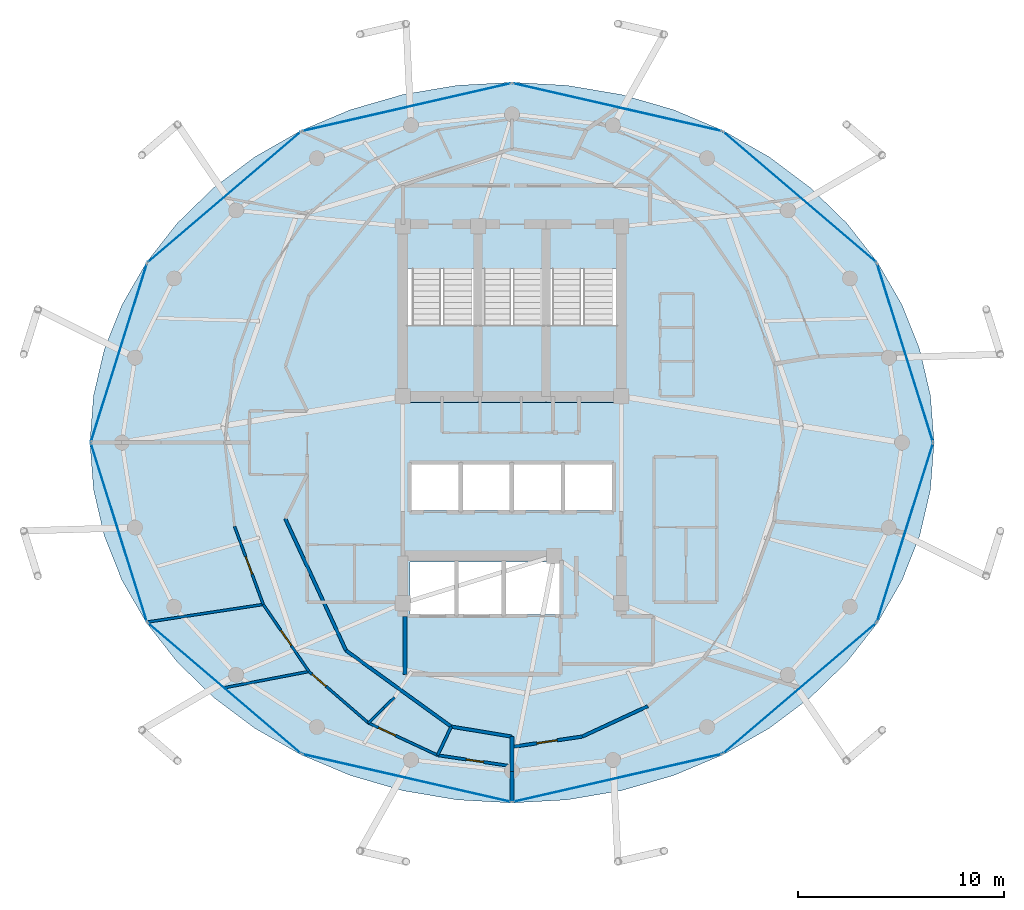
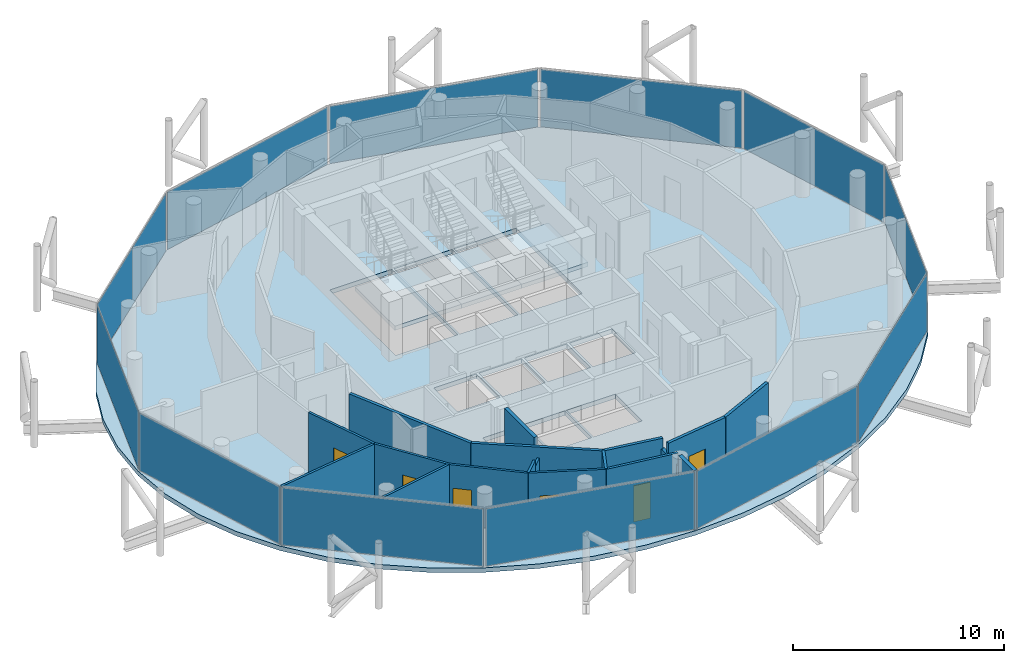
# One storey, part 19 of 24: 18 walls, 12 plates, 6 doors, 4 slabs, 6 openings, 15 elements without a shape of their own.
"""IFC4 building model written with IfcOpenShell, lengths in metres."""

from ifc_helpers import new_model, si_unit, direction, frame, frame_2d, origin, origin_2d, place, context, subcontext, project, spatial, polyline, rectangle, outline, extrude, material, layer, layer_set, type_object, element, fill, aggregate, save


model = new_model("IFC4")

# Units and contexts
model_context = context("Model", 3, precision=1e-05, world=origin(), true_north=direction((0.0, 1.0)))
body_context = subcontext(model_context, "Body", "Model", "MODEL_VIEW")
ifc_project = project(units=[si_unit("LENGTHUNIT", "METRE"), si_unit("AREAUNIT", "SQUARE_METRE"), si_unit("VOLUMEUNIT", "CUBIC_METRE"), si_unit("PLANEANGLEUNIT", "RADIAN"), si_unit("MASSUNIT", "GRAM", prefix="KILO")], contexts=[model_context])

# Site, building, storey
site_placement = place(None, origin())
site = spatial("IfcSite", under=ifc_project, at=site_placement, CompositionType="ELEMENT")
building_placement = place(site_placement, origin())
building = spatial("IfcBuilding", under=site, at=building_placement, Name="Nuhasar Tower", CompositionType="ELEMENT")
storey_placement = place(building_placement, frame((0.0, 0.0, 297.39990234375)))
storey = spatial("IfcBuildingStorey", under=building, at=storey_placement, Name="L74", CompositionType="ELEMENT", Elevation=297.39990234375)

# Curtain wall, plate
ifc_material_1 = material(Name="Aluminium 6063-T6", Category="aluminium")
ifc_layer_1 = layer(ifc_material_1, 0.18994140625)
ifc_layer_set_1 = layer_set([ifc_layer_1], Name="Aluminium 6063-T6")
curtain_wall_type = type_object("IfcCurtainWallType", Name="CW-Z4-PEN", PredefinedType="NOTDEFINED", material=ifc_layer_set_1)
curtain_wall_1_placement = place(storey_placement, origin())
curtain_wall_1 = element("IfcCurtainWall", 1, at=curtain_wall_1_placement, inside=storey, type_object=curtain_wall_type, Name="L74 Unitised Curtain Wall 01", PredefinedType="NOTDEFINED")
ifc_material_2 = material(Name="Glass Double Low-E", Category="glass")
ifc_layer_2 = layer(ifc_material_2, 0.028076171875)
ifc_layer_set_2 = layer_set([ifc_layer_2], Name="Glass Double Low-E")
plate_type = type_object("IfcPlateType", Name="CW-PANEL-GLZ", PredefinedType="CURTAIN_PANEL", material=ifc_layer_set_2)
plate_1_placement = place(storey_placement, frame((58.089599609375, 31.1650390625, 0.06005859375), z_axis=(0.0, 0.0, 1.0), x_axis=(-0.299556614146, 0.954078526601, 0.0)))
plate_1 = element("IfcPlate", 2, at=plate_1_placement, type_object=plate_type, Name="CW-Z4 panel 1.1", PredefinedType="CURTAIN_PANEL", context=body_context, shape_type="SweptSolid", body=[
    extrude(rectangle(XDim=9.0302734375, YDim=0.028076171875, at=origin_2d()), origin(), (0.0, 0.0, 1.0), 3.330078125),
])
aggregate(curtain_wall_1, [plate_1])

curtain_wall_2_placement = place(storey_placement, origin())
curtain_wall_2 = element("IfcCurtainWall", 3, at=curtain_wall_2_placement, inside=storey, type_object=curtain_wall_type, Name="L74 Unitised Curtain Wall 02", PredefinedType="NOTDEFINED")
plate_2_placement = place(storey_placement, frame((52.974609375, 38.7255859375, 0.06005859375), z_axis=(0.0, 0.0, 1.0), x_axis=(-0.760667252327, 0.649141996205, 0.0)))
plate_2 = element("IfcPlate", 4, at=plate_2_placement, type_object=plate_type, Name="CW-Z4 panel 1.1", PredefinedType="CURTAIN_PANEL", context=body_context, shape_type="SweptSolid", body=[
    extrude(rectangle(XDim=9.725341796875, YDim=0.028076171875, at=origin_2d()), origin(), (0.0, 0.0, 1.0), 3.330078125),
])
aggregate(curtain_wall_2, [plate_2])

curtain_wall_3_placement = place(storey_placement, origin())
curtain_wall_3 = element("IfcCurtainWall", 5, at=curtain_wall_3_placement, inside=storey, type_object=curtain_wall_type, Name="L74 Unitised Curtain Wall 03", PredefinedType="NOTDEFINED")
plate_3_placement = place(storey_placement, frame((44.114990234375, 43.090576171875, 0.06005859375), z_axis=(0.0, 0.0, 1.0), x_axis=(-0.97484371891, 0.222889487645, 0.0)))
plate_3 = element("IfcPlate", 6, at=plate_3_placement, type_object=plate_type, Name="CW-Z4 panel 1.1", PredefinedType="CURTAIN_PANEL", context=body_context, shape_type="SweptSolid", body=[
    extrude(rectangle(XDim=10.3740234375, YDim=0.028076171875, at=origin_2d()), origin(), (0.0, 0.0, 1.0), 3.330078125),
])
aggregate(curtain_wall_3, [plate_3])

curtain_wall_4_placement = place(storey_placement, origin())
curtain_wall_4 = element("IfcCurtainWall", 7, at=curtain_wall_4_placement, inside=storey, type_object=curtain_wall_type, Name="L74 Unitised Curtain Wall 04", PredefinedType="NOTDEFINED")
plate_4_placement = place(storey_placement, frame((33.885009765625, 43.090576171875, 0.06005859375), z_axis=(0.0, 0.0, 1.0), x_axis=(-0.97484371891, -0.222889487645, 0.0)))
plate_4 = element("IfcPlate", 8, at=plate_4_placement, type_object=plate_type, Name="CW-Z4 panel 1.1", PredefinedType="CURTAIN_PANEL", context=body_context, shape_type="SweptSolid", body=[
    extrude(rectangle(XDim=10.3740234375, YDim=0.028076171875, at=origin_2d()), origin(), (0.0, 0.0, 1.0), 3.330078125),
])
aggregate(curtain_wall_4, [plate_4])

curtain_wall_5_placement = place(storey_placement, origin())
curtain_wall_5 = element("IfcCurtainWall", 9, at=curtain_wall_5_placement, inside=storey, type_object=curtain_wall_type, Name="L74 Unitised Curtain Wall 05", PredefinedType="NOTDEFINED")
plate_5_placement = place(storey_placement, frame((25.025390625, 38.7255859375, 0.06005859375), z_axis=(0.0, 0.0, 1.0), x_axis=(-0.760667252327, -0.649141996205, 0.0)))
plate_5 = element("IfcPlate", 10, at=plate_5_placement, type_object=plate_type, Name="CW-Z4 panel 1.1", PredefinedType="CURTAIN_PANEL", context=body_context, shape_type="SweptSolid", body=[
    extrude(rectangle(XDim=9.725341796875, YDim=0.028076171875, at=origin_2d()), origin(), (0.0, 0.0, 1.0), 3.330078125),
])
aggregate(curtain_wall_5, [plate_5])

curtain_wall_6_placement = place(storey_placement, origin())
curtain_wall_6 = element("IfcCurtainWall", 11, at=curtain_wall_6_placement, inside=storey, type_object=curtain_wall_type, Name="L74 Unitised Curtain Wall 06", PredefinedType="NOTDEFINED")
plate_6_placement = place(storey_placement, frame((19.910400390625, 31.1650390625, 0.06005859375), z_axis=(0.0, 0.0, 1.0), x_axis=(-0.299556614146, -0.954078526601, 0.0)))
plate_6 = element("IfcPlate", 12, at=plate_6_placement, type_object=plate_type, Name="CW-Z4 panel 1.1", PredefinedType="CURTAIN_PANEL", context=body_context, shape_type="SweptSolid", body=[
    extrude(rectangle(XDim=9.0302734375, YDim=0.028076171875, at=origin_2d()), origin(), (0.0, 0.0, 1.0), 3.330078125),
])
aggregate(curtain_wall_6, [plate_6])

curtain_wall_7_placement = place(storey_placement, origin())
curtain_wall_7 = element("IfcCurtainWall", 13, at=curtain_wall_7_placement, inside=storey, type_object=curtain_wall_type, Name="L74 Unitised Curtain Wall 07", PredefinedType="NOTDEFINED")
plate_7_placement = place(storey_placement, frame((19.910400390625, 22.43505859375, 0.06005859375), z_axis=(0.0, 0.0, 1.0), x_axis=(0.299556614146, -0.954078526601, 0.0)))
plate_7 = element("IfcPlate", 14, at=plate_7_placement, type_object=plate_type, Name="CW-Z4 panel 1.1", PredefinedType="CURTAIN_PANEL", context=body_context, shape_type="SweptSolid", body=[
    extrude(rectangle(XDim=9.0302734375, YDim=0.028076171875, at=origin_2d()), origin(), (0.0, 0.0, 1.0), 3.330078125),
])
aggregate(curtain_wall_7, [plate_7])

curtain_wall_8_placement = place(storey_placement, origin())
curtain_wall_8 = element("IfcCurtainWall", 15, at=curtain_wall_8_placement, inside=storey, type_object=curtain_wall_type, Name="L74 Unitised Curtain Wall 08", PredefinedType="NOTDEFINED")
plate_8_placement = place(storey_placement, frame((25.025390625, 14.87451171875, 0.06005859375), z_axis=(0.0, 0.0, 1.0), x_axis=(0.760667252327, -0.649141996205, 0.0)))
plate_8 = element("IfcPlate", 16, at=plate_8_placement, type_object=plate_type, Name="CW-Z4 panel 1.1", PredefinedType="CURTAIN_PANEL", context=body_context, shape_type="SweptSolid", body=[
    extrude(rectangle(XDim=9.725341796875, YDim=0.028076171875, at=origin_2d()), origin(), (0.0, 0.0, 1.0), 3.330078125),
])
aggregate(curtain_wall_8, [plate_8])

curtain_wall_9_placement = place(storey_placement, origin())
curtain_wall_9 = element("IfcCurtainWall", 17, at=curtain_wall_9_placement, inside=storey, type_object=curtain_wall_type, Name="L74 Unitised Curtain Wall 09", PredefinedType="NOTDEFINED")
plate_9_placement = place(storey_placement, frame((33.885009765625, 10.509521484375, 0.06005859375), z_axis=(0.0, 0.0, 1.0), x_axis=(0.97484371891, -0.222889487645, 0.0)))
plate_9 = element("IfcPlate", 18, at=plate_9_placement, type_object=plate_type, Name="CW-Z4 panel 1.1", PredefinedType="CURTAIN_PANEL", context=body_context, shape_type="SweptSolid", body=[
    extrude(rectangle(XDim=10.3740234375, YDim=0.028076171875, at=origin_2d()), origin(), (0.0, 0.0, 1.0), 3.330078125),
])
aggregate(curtain_wall_9, [plate_9])

curtain_wall_10_placement = place(storey_placement, origin())
curtain_wall_10 = element("IfcCurtainWall", 19, at=curtain_wall_10_placement, inside=storey, type_object=curtain_wall_type, Name="L74 Unitised Curtain Wall 10", PredefinedType="NOTDEFINED")
plate_10_placement = place(storey_placement, frame((44.114990234375, 10.509521484375, 0.06005859375), z_axis=(0.0, 0.0, 1.0), x_axis=(0.97484371891, 0.222889487645, 0.0)))
plate_10 = element("IfcPlate", 20, at=plate_10_placement, type_object=plate_type, Name="CW-Z4 panel 1.1", PredefinedType="CURTAIN_PANEL", context=body_context, shape_type="SweptSolid", body=[
    extrude(rectangle(XDim=10.3740234375, YDim=0.028076171875, at=origin_2d()), origin(), (0.0, 0.0, 1.0), 3.330078125),
])
aggregate(curtain_wall_10, [plate_10])

curtain_wall_11_placement = place(storey_placement, origin())
curtain_wall_11 = element("IfcCurtainWall", 21, at=curtain_wall_11_placement, inside=storey, type_object=curtain_wall_type, Name="L74 Unitised Curtain Wall 11", PredefinedType="NOTDEFINED")
plate_11_placement = place(storey_placement, frame((52.974609375, 14.87451171875, 0.06005859375), z_axis=(0.0, 0.0, 1.0), x_axis=(0.760667252327, 0.649141996205, 0.0)))
plate_11 = element("IfcPlate", 22, at=plate_11_placement, type_object=plate_type, Name="CW-Z4 panel 1.1", PredefinedType="CURTAIN_PANEL", context=body_context, shape_type="SweptSolid", body=[
    extrude(rectangle(XDim=9.725341796875, YDim=0.028076171875, at=origin_2d()), origin(), (0.0, 0.0, 1.0), 3.330078125),
])
aggregate(curtain_wall_11, [plate_11])

curtain_wall_12_placement = place(storey_placement, origin())
curtain_wall_12 = element("IfcCurtainWall", 23, at=curtain_wall_12_placement, inside=storey, type_object=curtain_wall_type, Name="L74 Unitised Curtain Wall 12", PredefinedType="NOTDEFINED")
plate_12_placement = place(storey_placement, frame((58.089599609375, 22.43505859375, 0.06005859375), z_axis=(0.0, 0.0, 1.0), x_axis=(0.299556614146, 0.954078526601, 0.0)))
plate_12 = element("IfcPlate", 24, at=plate_12_placement, type_object=plate_type, Name="CW-Z4 panel 1.1", PredefinedType="CURTAIN_PANEL", context=body_context, shape_type="SweptSolid", body=[
    extrude(rectangle(XDim=9.0302734375, YDim=0.028076171875, at=origin_2d()), origin(), (0.0, 0.0, 1.0), 3.330078125),
])
aggregate(curtain_wall_12, [plate_12])

# Stair, slab
ifc_material_3 = material(Name="Concrete C45/55", Category="concrete")
stair_type_1 = type_object("IfcStairType", Name="STR-ST-01-2F-22R-1727", PredefinedType="HALF_TURN_STAIR", material=ifc_material_3)
stair_1_placement = place(storey_placement, origin())
stair_1 = element("IfcStair", 25, at=stair_1_placement, inside=storey, type_object=stair_type_1, Name="L74 Exit Stair ST-01", PredefinedType="HALF_TURN_STAIR")
ifc_layer_3 = layer(ifc_material_3, 0.239990234375)
ifc_layer_set_3 = layer_set([ifc_layer_3], Name="Concrete C45/55")
slab_type_1 = type_object("IfcSlabType", Name="SLB-STAIR-LND-240", PredefinedType="LANDING", material=ifc_layer_set_3)
slab_1_placement = place(storey_placement, frame((0.0, 0.0, 1.66015625)))
slab_1 = element("IfcSlab", 26, at=slab_1_placement, type_object=slab_type_1, Name="ST-01 landing 1", PredefinedType="LANDING", context=body_context, shape_type="SweptSolid", body=[
    extrude(outline(polyline([(33.699951171875, 28.75), (37.35009765625, 28.75), (37.35009765625, 32.52001953125), (33.699951171875, 32.52001953125), (33.699951171875, 28.75)])), origin(), (0.0, 0.0, 1.0), 0.239990234375),
])
aggregate(stair_1, [slab_1])

stair_type_2 = type_object("IfcStairType", Name="STR-ST-03-2F-22R-1727", PredefinedType="HALF_TURN_STAIR", material=ifc_material_3)
stair_2_placement = place(storey_placement, origin())
stair_2 = element("IfcStair", 27, at=stair_2_placement, inside=storey, type_object=stair_type_2, Name="L74 Exit Stair ST-03", PredefinedType="HALF_TURN_STAIR")
slab_2_placement = place(storey_placement, frame((0.0, 0.0, 1.66015625)))
slab_2 = element("IfcSlab", 28, at=slab_2_placement, type_object=slab_type_1, Name="ST-03 landing 1", PredefinedType="LANDING", context=body_context, shape_type="SweptSolid", body=[
    extrude(outline(polyline([(37.35009765625, 28.75), (40.64990234375, 28.75), (40.64990234375, 32.52001953125), (37.35009765625, 32.52001953125), (37.35009765625, 28.75)])), origin(), (0.0, 0.0, 1.0), 0.239990234375),
])
aggregate(stair_2, [slab_2])

stair_type_3 = type_object("IfcStairType", Name="STR-ST-02-2F-22R-1727", PredefinedType="HALF_TURN_STAIR", material=ifc_material_3)
stair_3_placement = place(storey_placement, origin())
stair_3 = element("IfcStair", 29, at=stair_3_placement, inside=storey, type_object=stair_type_3, Name="L74 Exit Stair ST-02", PredefinedType="HALF_TURN_STAIR")
slab_3_placement = place(storey_placement, frame((0.0, 0.0, 1.66015625)))
slab_3 = element("IfcSlab", 30, at=slab_3_placement, type_object=slab_type_1, Name="ST-02 landing 1", PredefinedType="LANDING", context=body_context, shape_type="SweptSolid", body=[
    extrude(outline(polyline([(40.64990234375, 28.75), (44.300048828125, 28.75), (44.300048828125, 32.52001953125), (40.64990234375, 32.52001953125), (40.64990234375, 28.75)])), origin(), (0.0, 0.0, 1.0), 0.239990234375),
])
aggregate(stair_3, [slab_3])

# Slab
ifc_material_4 = material(Name="Concrete C50/60", Category="concrete")
ifc_layer_4 = layer(ifc_material_4, 0.260009765625)
ifc_layer_set_4 = layer_set([ifc_layer_4], Name="Concrete C50/60")
slab_type_2 = type_object("IfcSlabType", Name="SLB-Z1A-260", PredefinedType="FLOOR", material=ifc_layer_set_4)
slab_4_placement = place(storey_placement, frame((0.0, 0.0, -0.260009765625)))
element("IfcSlab", 31, at=slab_4_placement, inside=storey, type_object=slab_type_2, Name="L74 Structural Slab", PredefinedType="FLOOR", context=body_context, shape_type="SweptSolid", body=[
    extrude(outline(polyline([(59.5, 26.800048828125), (59.324951171875, 29.083984375), (58.801025390625, 31.3291015625), (57.93994140625, 33.4970703125), (56.75390625, 35.550048828125), (55.263916015625, 37.452880859375), (53.49609375, 39.174072265625), (51.47998046875, 40.68408203125), (49.25, 41.955078125), (46.844970703125, 42.968017578125), (44.305908203125, 43.7041015625), (41.676025390625, 44.14990234375), (39.0, 44.300048828125), (36.323974609375, 44.14990234375), (33.694091796875, 43.7041015625), (31.155029296875, 42.968017578125), (28.75, 41.955078125), (26.52001953125, 40.68408203125), (24.50390625, 39.174072265625), (22.736083984375, 37.452880859375), (21.24609375, 35.550048828125), (20.06005859375, 33.4970703125), (19.198974609375, 31.3291015625), (18.675048828125, 29.083984375), (18.5, 26.800048828125), (18.675048828125, 24.51611328125), (19.198974609375, 22.27099609375), (20.06005859375, 20.10302734375), (21.24609375, 18.050048828125), (22.736083984375, 16.14697265625), (24.50390625, 14.426025390625), (26.52001953125, 12.916015625), (28.75, 11.64501953125), (31.155029296875, 10.632080078125), (33.694091796875, 9.89599609375), (36.323974609375, 9.449951171875), (39.0, 9.300048828125), (41.676025390625, 9.449951171875), (44.305908203125, 9.89599609375), (46.844970703125, 10.632080078125), (49.25, 11.64501953125), (51.47998046875, 12.916015625), (53.49609375, 14.426025390625), (55.263916015625, 16.14697265625), (56.75390625, 18.050048828125), (57.93994140625, 20.10302734375), (58.801025390625, 22.27099609375), (59.324951171875, 24.51611328125), (59.5, 26.800048828125)]), holes=[polyline([(33.8798828125, 35.25), (37.300048828125, 35.25), (37.300048828125, 29.0), (33.8798828125, 29.0), (33.8798828125, 35.25)]), polyline([(37.39990234375, 35.25), (40.60009765625, 35.25), (40.60009765625, 29.0), (37.39990234375, 29.0), (37.39990234375, 35.25)]), polyline([(40.699951171875, 35.25), (44.1201171875, 35.25), (44.1201171875, 29.0), (40.699951171875, 29.0), (40.699951171875, 35.25)]), polyline([(34.10009765625, 25.75), (36.43994140625, 25.75), (36.43994140625, 23.5), (34.10009765625, 23.5), (34.10009765625, 25.75)]), polyline([(36.580078125, 25.75), (38.919921875, 25.75), (38.919921875, 23.5), (36.580078125, 23.5), (36.580078125, 25.75)]), polyline([(39.06005859375, 25.75), (41.39990234375, 25.75), (41.39990234375, 23.5), (39.06005859375, 23.5), (39.06005859375, 25.75)]), polyline([(41.5400390625, 25.75), (43.8798828125, 25.75), (43.8798828125, 23.5), (41.5400390625, 23.5), (41.5400390625, 25.75)]), polyline([(34.050048828125, 21.0), (36.25, 21.0), (36.25, 18.449951171875), (34.050048828125, 18.449951171875), (34.050048828125, 21.0)]), polyline([(36.35009765625, 21.0), (38.550048828125, 21.0), (38.550048828125, 18.449951171875), (36.35009765625, 18.449951171875), (36.35009765625, 21.0)]), polyline([(38.64990234375, 21.0), (41.320068359375, 21.0), (41.320068359375, 18.449951171875), (38.64990234375, 18.449951171875), (38.64990234375, 21.0)])]), origin(), (0.0, 0.0, 1.0), 0.260009765625),
])

# Wall, opening, door
ifc_material_5 = material(Name="Gypsum Board", Category="gypsum")
ifc_layer_5 = layer(ifc_material_5, 0.159912109375)
ifc_layer_set_5 = layer_set([ifc_layer_5], Name="Gypsum Board")
wall_type_1 = type_object("IfcWallType", Name="WL-CORR-160", PredefinedType="PARTITIONING", material=ifc_layer_set_5)
wall_1_placement = place(storey_placement, frame((42.4140625, 12.52392578125, 0.0), z_axis=(0.0, 0.0, 1.0), x_axis=(-0.989282323844, -0.146015354435, 0.0)))
wall_1 = element("IfcWall", 32, at=wall_1_placement, inside=storey, type_object=wall_type_1, Name="L74 Interior Partition CORR-36", PredefinedType="PARTITIONING", context=body_context, shape_type="SweptSolid", body=[
    extrude(rectangle(XDim=3.450927734375, YDim=0.159912109375, at=frame_2d((1.7255859375, 0.0))), origin(), (0.0, 0.0, 1.0), 3.4501953125),
])
opening_1_placement = place(wall_1_placement, frame((1.22607421875, 0.0, 0.0)))
opening_1 = element("IfcOpeningElement", 33, at=opening_1_placement, cuts=wall_1, Name="Opening DU-02", PredefinedType="OPENING", context=body_context, shape_type="SweptSolid", body=[
    extrude(rectangle(XDim=1.0, YDim=2.14990234375, at=frame_2d((0.5, 1.074951171875))), frame((0.0, 0.08984375, 0.0), z_axis=(0.0, -1.0, 0.0), x_axis=(1.0, 0.0, 0.0)), (0.0, 0.0, 1.0), 0.179931640625),
])
ifc_material_6 = material(Name="Timber Oak", Category="wood")
door_type_1 = type_object("IfcDoorType", Name="DR-FLAT-FD60-1000", OperationType="NOTDEFINED", PredefinedType="DOOR", material=ifc_material_6)
door_1_placement = place(opening_1_placement, origin())
door_1 = element("IfcDoor", 34, at=door_1_placement, inside=storey, type_object=door_type_1, Name="L74 Private Spa Therapy Clinic Entrance Door", OperationType="SINGLE_SWING_RIGHT", OverallHeight=2.14990234375, OverallWidth=1.0, PredefinedType="DOOR", context=body_context, shape_type="SweptSolid", body=[
    extrude(rectangle(XDim=1.0, YDim=2.14990234375, at=frame_2d((0.5, 1.074951171875))), frame((0.0, 0.02490234375, 0.0), z_axis=(0.0, -1.0, 0.0), x_axis=(1.0, 0.0, 0.0)), (0.0, 0.0, 1.0), 0.050048828125),
])
fill(opening_1, door_1)

# Walls
wall_2_placement = place(storey_placement, frame((42.4140625, 12.52392578125, 0.0), z_axis=(0.0, 0.0, 1.0), x_axis=(0.907093473746, 0.420929245703, 0.0)))
element("IfcWall", 35, at=wall_2_placement, inside=storey, type_object=wall_type_1, Name="L74 Interior Partition CORR-38", PredefinedType="PARTITIONING", context=body_context, shape_type="SweptSolid", body=[
    extrude(rectangle(XDim=3.506591796875, YDim=0.159912109375, at=frame_2d((1.75341796875, 0.0))), origin(), (0.0, 0.0, 1.0), 3.4501953125),
])
wall_3_placement = place(storey_placement, frame((27.988037109375, 23.10400390625, 0.0), z_axis=(0.0, 0.0, 1.0), x_axis=(0.418656179426, -0.908144814128, 0.0)))
element("IfcWall", 36, at=wall_3_placement, inside=storey, type_object=wall_type_1, Name="L74 Interior Partition UWEST-CORE-S1-26", PredefinedType="PARTITIONING", context=body_context, shape_type="SweptSolid", body=[
    extrude(rectangle(XDim=7.048583984375, YDim=0.159912109375, at=frame_2d((3.5244140625, 0.0))), origin(), (0.0, 0.0, 1.0), 3.4501953125),
])
wall_4_placement = place(storey_placement, frame((30.93896484375, 16.702880859375, 0.0), z_axis=(0.0, 0.0, 1.0), x_axis=(0.810290119061, -0.586028943784, 0.0)))
element("IfcWall", 37, at=wall_4_placement, inside=storey, type_object=wall_type_1, Name="L74 Interior Partition UWEST-CORE-S1-30", PredefinedType="PARTITIONING", context=body_context, shape_type="SweptSolid", body=[
    extrude(rectangle(XDim=6.306396484375, YDim=0.159912109375, at=frame_2d((3.1533203125, 0.0))), origin(), (0.0, 0.0, 1.0), 3.4501953125),
])
wall_5_placement = place(storey_placement, frame((36.049072265625, 13.007080078125, 0.0), z_axis=(0.0, 0.0, 1.0), x_axis=(0.986650832406, -0.162850038111, 0.0)))
element("IfcWall", 38, at=wall_5_placement, inside=storey, type_object=wall_type_1, Name="L74 Interior Partition UWEST-CORE-S2-34", PredefinedType="PARTITIONING", context=body_context, shape_type="SweptSolid", body=[
    extrude(rectangle(XDim=2.990966796875, YDim=0.159912109375, at=frame_2d((1.49560546875, 0.0))), origin(), (0.0, 0.0, 1.0), 3.4501953125),
])
ifc_layer_6 = layer(ifc_material_3, 0.199951171875)
ifc_layer_set_6 = layer_set([ifc_layer_6], Name="Concrete C45/55")
wall_type_2 = type_object("IfcWallType", Name="WL-LOBBY-200", PredefinedType="SOLIDWALL", material=ifc_layer_set_6)
wall_6_placement = place(storey_placement, frame((33.800048828125, 15.550048828125, 0.0), z_axis=(0.0, 0.0, 1.0), x_axis=(0.0, 1.0, 0.0)))
element("IfcWall", 39, at=wall_6_placement, inside=storey, type_object=wall_type_2, Name="L74 Interior Partition FFL-W", PredefinedType="SOLIDWALL", context=body_context, shape_type="SweptSolid", body=[
    extrude(rectangle(XDim=2.800048828125, YDim=0.199951171875, at=frame_2d((1.39990234375, 0.0))), origin(), (0.0, 0.0, 1.0), 3.4501953125),
])

# Wall, opening, door
ifc_layer_7 = layer(ifc_material_5, 0.125)
ifc_layer_set_7 = layer_set([ifc_layer_7], Name="Gypsum Board")
wall_type_3 = type_object("IfcWallType", Name="WL-PART-125", PredefinedType="PARTITIONING", material=ifc_layer_set_7)
wall_7_placement = place(storey_placement, frame((35.388916015625, 11.615966796875, 0.0), z_axis=(0.0, 0.0, 1.0), x_axis=(-0.906162977721, 0.422928667517, 0.0)))
wall_7 = element("IfcWall", 40, at=wall_7_placement, inside=storey, type_object=wall_type_3, Name="L74 Interior Partition USM-2-K-32", PredefinedType="PARTITIONING", context=body_context, shape_type="SweptSolid", body=[
    extrude(rectangle(XDim=3.71240234375, YDim=0.125, at=frame_2d((1.856201171875, 0.0))), origin(), (0.0, 0.0, 1.0), 3.4501953125),
])
opening_2_placement = place(wall_7_placement, frame((2.260009765625, 0.0, 0.0)))
opening_2 = element("IfcOpeningElement", 41, at=opening_2_placement, cuts=wall_7, Name="Opening DR-01", PredefinedType="OPENING", context=body_context, shape_type="SweptSolid", body=[
    extrude(rectangle(XDim=0.89990234375, YDim=2.10009765625, at=frame_2d((0.449951171875, 1.050048828125))), frame((0.0, 0.072509765625, 0.0), z_axis=(0.0, -1.0, 0.0), x_axis=(1.0, 0.0, 0.0)), (0.0, 0.0, 1.0), 0.14501953125),
])
door_type_2 = type_object("IfcDoorType", Name="DR-ROOM-900", OperationType="NOTDEFINED", PredefinedType="DOOR", material=ifc_material_6)
door_2_placement = place(opening_2_placement, origin())
door_2 = element("IfcDoor", 42, at=door_2_placement, inside=storey, type_object=door_type_2, Name="L74 South-West Sky Home Kitchen Door", OperationType="SINGLE_SWING_RIGHT", OverallHeight=2.10009765625, OverallWidth=0.89990234375, PredefinedType="DOOR", context=body_context, shape_type="SweptSolid", body=[
    extrude(rectangle(XDim=0.89990234375, YDim=2.10009765625, at=frame_2d((0.449951171875, 1.050048828125))), frame((0.0, 0.02490234375, 0.0), z_axis=(0.0, -1.0, 0.0), x_axis=(1.0, 0.0, 0.0)), (0.0, 0.0, 1.0), 0.050048828125),
])
fill(opening_2, door_2)

# Walls
wall_8_placement = place(storey_placement, frame((33.300048828125, 14.43310546875, 0.0), z_axis=(0.0, 0.0, 1.0), x_axis=(-0.714672361604, -0.699459373774, 0.0)))
element("IfcWall", 43, at=wall_8_placement, inside=storey, type_object=wall_type_3, Name="L74 Interior Partition USI-2-DK", PredefinedType="PARTITIONING", context=body_context, shape_type="SweptSolid", body=[
    extrude(rectangle(XDim=0.72216796875, YDim=0.125, at=frame_2d((0.361083984375, 0.0))), origin(), (0.0, 0.0, 1.0), 3.09521484375),
])
wall_9_placement = place(storey_placement, frame((32.783935546875, 13.927978515625, 0.0), z_axis=(0.0, 0.0, 1.0), x_axis=(-0.715111418379, -0.699010485833, 0.0)))
element("IfcWall", 44, at=wall_9_placement, inside=storey, type_object=wall_type_3, Name="L74 Interior Partition USI-2-DK", PredefinedType="PARTITIONING", context=body_context, shape_type="SweptSolid", body=[
    extrude(rectangle(XDim=1.0615234375, YDim=0.125, at=frame_2d((0.53076171875, 0.0))), origin(), (0.0, 0.0, 1.0), 3.4501953125),
])

# Wall, opening, door
wall_10_placement = place(storey_placement, frame((26.9189453125, 18.93994140625, 0.0), z_axis=(0.0, 0.0, 1.0), x_axis=(-0.345128286029, 0.938555521097, 0.0)))
wall_10 = element("IfcWall", 45, at=wall_10_placement, inside=storey, type_object=wall_type_3, Name="L74 Interior Partition USM-2-D-26", PredefinedType="PARTITIONING", context=body_context, shape_type="SweptSolid", body=[
    extrude(rectangle(XDim=4.039306640625, YDim=0.125, at=frame_2d((2.01953125, 0.0))), origin(), (0.0, 0.0, 1.0), 3.4501953125),
])
opening_3_placement = place(wall_10_placement, frame((1.570068359375, 0.0, 0.0)))
opening_3 = element("IfcOpeningElement", 46, at=opening_3_placement, cuts=wall_10, Name="Opening DR-01", PredefinedType="OPENING", context=body_context, shape_type="SweptSolid", body=[
    extrude(rectangle(XDim=0.89990234375, YDim=2.10009765625, at=frame_2d((0.449951171875, 1.050048828125))), frame((0.0, 0.072509765625, 0.0), z_axis=(0.0, -1.0, 0.0), x_axis=(1.0, 0.0, 0.0)), (0.0, 0.0, 1.0), 0.14501953125),
])
door_3_placement = place(opening_3_placement, origin())
door_3 = element("IfcDoor", 47, at=door_3_placement, inside=storey, type_object=door_type_2, Name="L74 South-West Sky Home Living Door", OperationType="SINGLE_SWING_RIGHT", OverallHeight=2.10009765625, OverallWidth=0.89990234375, PredefinedType="DOOR", context=body_context, shape_type="SweptSolid", body=[
    extrude(rectangle(XDim=0.89990234375, YDim=2.10009765625, at=frame_2d((0.449951171875, 1.050048828125))), frame((0.0, 0.02490234375, 0.0), z_axis=(0.0, -1.0, 0.0), x_axis=(1.0, 0.0, 0.0)), (0.0, 0.0, 1.0), 0.050048828125),
])
fill(opening_3, door_3)

wall_11_placement = place(storey_placement, frame((29.135986328125, 15.68408203125, 0.0), z_axis=(0.0, 0.0, 1.0), x_axis=(-0.562840533245, 0.826565505049, 0.0)))
wall_11 = element("IfcWall", 48, at=wall_11_placement, inside=storey, type_object=wall_type_3, Name="L74 Interior Partition USM-2-D-28", PredefinedType="PARTITIONING", context=body_context, shape_type="SweptSolid", body=[
    extrude(rectangle(XDim=3.93896484375, YDim=0.125, at=frame_2d((1.969482421875, 0.0))), origin(), (0.0, 0.0, 1.0), 3.4501953125),
])
opening_4_placement = place(wall_11_placement, frame((1.52001953125, 0.0, 0.0)))
opening_4 = element("IfcOpeningElement", 49, at=opening_4_placement, cuts=wall_11, Name="Opening DR-01", PredefinedType="OPENING", context=body_context, shape_type="SweptSolid", body=[
    extrude(rectangle(XDim=0.89990234375, YDim=2.10009765625, at=frame_2d((0.449951171875, 1.050048828125))), frame((0.0, 0.072509765625, 0.0), z_axis=(0.0, -1.0, 0.0), x_axis=(1.0, 0.0, 0.0)), (0.0, 0.0, 1.0), 0.14501953125),
])
door_4_placement = place(opening_4_placement, origin())
door_4 = element("IfcDoor", 50, at=door_4_placement, inside=storey, type_object=door_type_2, Name="L74 South-West Sky Home Study Door", OperationType="SINGLE_SWING_LEFT", OverallHeight=2.10009765625, OverallWidth=0.89990234375, PredefinedType="DOOR", context=body_context, shape_type="SweptSolid", body=[
    extrude(rectangle(XDim=0.89990234375, YDim=2.10009765625, at=frame_2d((0.449951171875, 1.050048828125))), frame((0.0, 0.02490234375, 0.0), z_axis=(0.0, -1.0, 0.0), x_axis=(1.0, 0.0, 0.0)), (0.0, 0.0, 1.0), 0.050048828125),
])
fill(opening_4, door_4)

wall_12_placement = place(storey_placement, frame((32.02490234375, 13.18603515625, 0.0), z_axis=(0.0, 0.0, 1.0), x_axis=(-0.756424716633, 0.654080765706, 0.0)))
wall_12 = element("IfcWall", 51, at=wall_12_placement, inside=storey, type_object=wall_type_3, Name="L74 Interior Partition USM-2-D-30", PredefinedType="PARTITIONING", context=body_context, shape_type="SweptSolid", body=[
    extrude(rectangle(XDim=3.819091796875, YDim=0.125, at=frame_2d((1.90966796875, 0.0))), origin(), (0.0, 0.0, 1.0), 3.4501953125),
])
opening_5_placement = place(wall_12_placement, frame((2.718994140625, 0.0, 0.0)))
opening_5 = element("IfcOpeningElement", 52, at=opening_5_placement, cuts=wall_12, Name="Opening DR-01", PredefinedType="OPENING", context=body_context, shape_type="SweptSolid", body=[
    extrude(rectangle(XDim=0.89990234375, YDim=2.10009765625, at=frame_2d((0.449951171875, 1.050048828125))), frame((0.0, 0.072509765625, 0.0), z_axis=(0.0, -1.0, 0.0), x_axis=(1.0, 0.0, 0.0)), (0.0, 0.0, 1.0), 0.14501953125),
])
door_5_placement = place(opening_5_placement, origin())
door_5 = element("IfcDoor", 53, at=door_5_placement, inside=storey, type_object=door_type_2, Name="L74 South-West Sky Home Master Bedroom Door", OperationType="SINGLE_SWING_RIGHT", OverallHeight=2.10009765625, OverallWidth=0.89990234375, PredefinedType="DOOR", context=body_context, shape_type="SweptSolid", body=[
    extrude(rectangle(XDim=0.89990234375, YDim=2.10009765625, at=frame_2d((0.449951171875, 1.050048828125))), frame((0.0, 0.02490234375, 0.0), z_axis=(0.0, -1.0, 0.0), x_axis=(1.0, 0.0, 0.0)), (0.0, 0.0, 1.0), 0.050048828125),
])
fill(opening_5, door_5)

# Walls
wall_13_placement = place(storey_placement, frame((26.9189453125, 18.93994140625, 0.0), z_axis=(0.0, 0.0, 1.0), x_axis=(-0.988653601615, -0.150213368291, 0.0)))
element("IfcWall", 54, at=wall_13_placement, inside=storey, type_object=wall_type_3, Name="L74 Interior Partition USO-2-B1", PredefinedType="PARTITIONING", context=body_context, shape_type="SweptSolid", body=[
    extrude(rectangle(XDim=5.67236328125, YDim=0.125, at=frame_2d((2.836181640625, 0.0))), origin(), (0.0, 0.0, 1.0), 3.4501953125),
])
wall_14_placement = place(storey_placement, frame((29.135986328125, 15.68408203125, 0.0), z_axis=(0.0, 0.0, 1.0), x_axis=(-0.982041578383, -0.188664618643, 0.0)))
element("IfcWall", 55, at=wall_14_placement, inside=storey, type_object=wall_type_3, Name="L74 Interior Partition USO-2-B2", PredefinedType="PARTITIONING", context=body_context, shape_type="SweptSolid", body=[
    extrude(rectangle(XDim=4.16162109375, YDim=0.125, at=frame_2d((2.080810546875, 0.0))), origin(), (0.0, 0.0, 1.0), 3.4501953125),
])
ifc_material_7 = material(Name="Concrete C40/50 precast", Category="concrete")
ifc_layer_8 = layer(ifc_material_7, 0.199951171875)
ifc_layer_set_8 = layer_set([ifc_layer_8], Name="Concrete C40/50 precast")
wall_type_4 = type_object("IfcWallType", Name="WL-UNIT-200", PredefinedType="PARTITIONING", material=ifc_layer_set_8)
wall_15_placement = place(storey_placement, frame((39.0, 12.52001953125, 0.0), z_axis=(0.0, 0.0, 1.0), x_axis=(0.0, -1.0, 0.0)))
element("IfcWall", 56, at=wall_15_placement, inside=storey, type_object=wall_type_4, Name="L74 Interior Partition URAD-36-SW", PredefinedType="PARTITIONING", context=body_context, shape_type="SweptSolid", body=[
    extrude(rectangle(XDim=1.68994140625, YDim=0.199951171875, at=frame_2d((0.844970703125, 0.0))), origin(), (0.0, 0.0, 1.0), 2.835205078125),
])
wall_16_placement = place(storey_placement, frame((39.0, 10.830078125, 0.0), z_axis=(0.0, 0.0, 1.0), x_axis=(0.0, -1.0, 0.0)))
element("IfcWall", 57, at=wall_16_placement, inside=storey, type_object=wall_type_4, Name="L74 Interior Partition URAD-36-SW", PredefinedType="PARTITIONING", context=body_context, shape_type="SweptSolid", body=[
    extrude(rectangle(XDim=1.455078125, YDim=0.199951171875, at=frame_2d((0.7275390625, 0.0))), origin(), (0.0, 0.0, 1.0), 3.4501953125),
])

# Wall, opening, door
ifc_layer_9 = layer(ifc_material_7, 0.139892578125)
ifc_layer_set_9 = layer_set([ifc_layer_9], Name="Concrete C40/50 precast")
wall_type_5 = type_object("IfcWallType", Name="WL-WET-140", PredefinedType="PARTITIONING", material=ifc_layer_set_9)
wall_17_placement = place(storey_placement, frame((39.0, 11.080078125, 0.0), z_axis=(0.0, 0.0, 1.0), x_axis=(-0.989167166266, 0.146793450744, 0.0)))
wall_17 = element("IfcWall", 58, at=wall_17_placement, inside=storey, type_object=wall_type_5, Name="L74 Interior Partition USM-2-B-34", PredefinedType="PARTITIONING", context=body_context, shape_type="SweptSolid", body=[
    extrude(rectangle(XDim=3.650634765625, YDim=0.139892578125, at=frame_2d((1.8251953125, 0.0))), origin(), (0.0, 0.0, 1.0), 3.4501953125),
])
opening_6_placement = place(wall_17_placement, frame((1.39990234375, 0.0, 0.0)))
opening_6 = element("IfcOpeningElement", 59, at=opening_6_placement, cuts=wall_17, Name="Opening DB-01", PredefinedType="OPENING", context=body_context, shape_type="SweptSolid", body=[
    extrude(rectangle(XDim=0.85009765625, YDim=2.10009765625, at=frame_2d((0.425048828125, 1.050048828125))), frame((0.0, 0.080078125, 0.0), z_axis=(0.0, -1.0, 0.0), x_axis=(1.0, 0.0, 0.0)), (0.0, 0.0, 1.0), 0.159912109375),
])
door_type_3 = type_object("IfcDoorType", Name="DR-BATH-850", OperationType="NOTDEFINED", PredefinedType="DOOR", material=ifc_material_6)
door_6_placement = place(opening_6_placement, origin())
door_6 = element("IfcDoor", 60, at=door_6_placement, inside=storey, type_object=door_type_3, Name="L74 South-West Sky Home En-Suite Door", OperationType="SINGLE_SWING_RIGHT", OverallHeight=2.10009765625, OverallWidth=0.85009765625, PredefinedType="DOOR", context=body_context, shape_type="SweptSolid", body=[
    extrude(rectangle(XDim=0.85009765625, YDim=2.10009765625, at=frame_2d((0.425048828125, 1.050048828125))), frame((0.0, 0.02490234375, 0.0), z_axis=(0.0, -1.0, 0.0), x_axis=(1.0, 0.0, 0.0)), (0.0, 0.0, 1.0), 0.050048828125),
])
fill(opening_6, door_6)

# Wall
wall_18_placement = place(storey_placement, frame((36.049072265625, 13.007080078125, 0.0), z_axis=(0.0, 0.0, 1.0), x_axis=(-0.428726905473, -0.903434137347, 0.0)))
element("IfcWall", 61, at=wall_18_placement, inside=storey, type_object=wall_type_5, Name="L74 Interior Partition USI-2-KB", PredefinedType="PARTITIONING", context=body_context, shape_type="SweptSolid", body=[
    extrude(rectangle(XDim=1.539794921875, YDim=0.139892578125, at=frame_2d((0.77001953125, 0.0))), origin(), (0.0, 0.0, 1.0), 3.4501953125),
])

save(model, "model.ifc")
